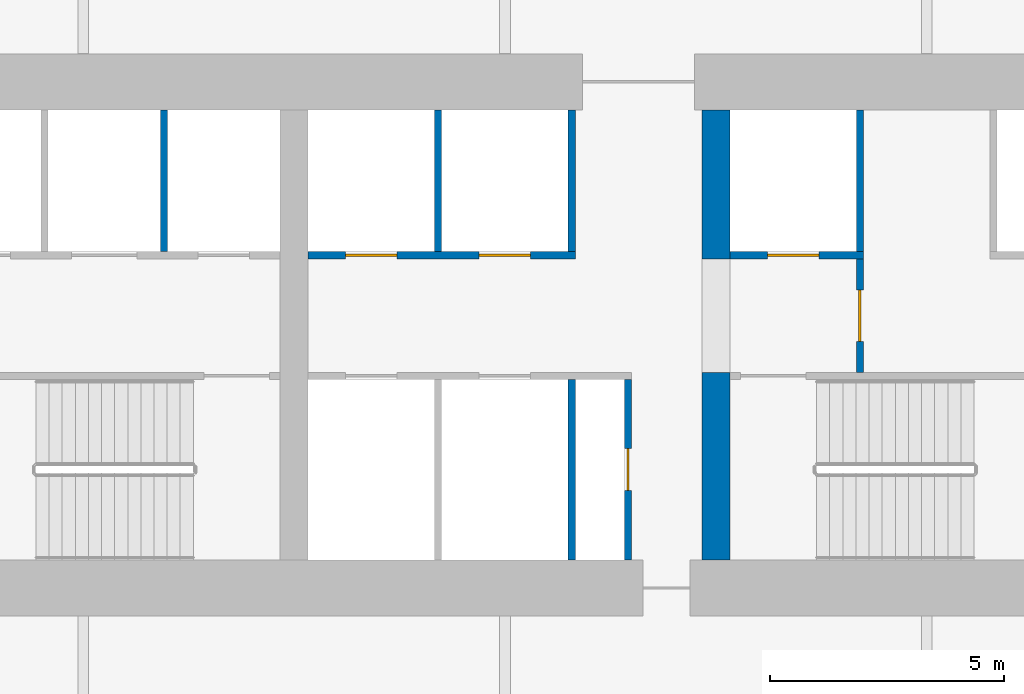
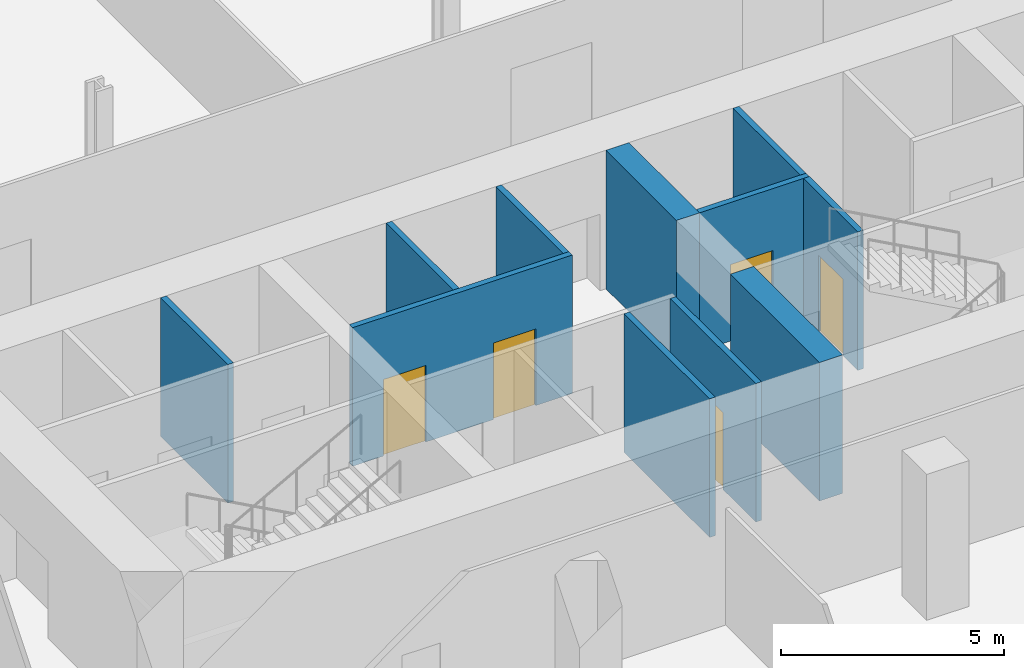
# One storey, part 4 of 14: 11 walls, 5 doors, 5 openings.
"""IFC4 building model written with IfcOpenShell, lengths in metres."""

from ifc_helpers import new_model, si_unit, direction, frame, frame_2d, origin, place, context, subcontext, project, spatial, rectangle, extrude, material, layer, layer_set, type_object, element, fill, save


model = new_model("IFC4")

# Units and contexts
model_context = context("Model", 3, precision=1e-05, world=origin(), true_north=direction((0.0, 1.0)))
body_context = subcontext(model_context, "Body", "Model", "MODEL_VIEW")
ifc_project = project(units=[si_unit("LENGTHUNIT", "METRE"), si_unit("AREAUNIT", "SQUARE_METRE"), si_unit("VOLUMEUNIT", "CUBIC_METRE"), si_unit("PLANEANGLEUNIT", "RADIAN"), si_unit("MASSUNIT", "GRAM", prefix="KILO")], contexts=[model_context])

# Site, building, storey
site_placement = place(None, origin())
site = spatial("IfcSite", under=ifc_project, at=site_placement, CompositionType="ELEMENT")
building_placement = place(site_placement, origin())
building = spatial("IfcBuilding", under=site, at=building_placement, Name="Zellij Exchange Tower", CompositionType="ELEMENT")
storey_placement = place(building_placement, frame((0.0, 0.0, 68.5)))
storey = spatial("IfcBuildingStorey", under=building, at=storey_placement, Name="L13", CompositionType="ELEMENT", Elevation=68.5)

# Walls
ifc_material_1 = material(Name="Concrete C70/85", Category="concrete")
ifc_layer_1 = layer(ifc_material_1, 0.60009765625)
ifc_layer_set_1 = layer_set([ifc_layer_1], Name="Concrete C70/85")
wall_type_1 = type_object("IfcWallType", Name="CORE-CW 600 C70/85", PredefinedType="SHEAR", material=ifc_layer_set_1)
wall_1_placement = place(storey_placement, frame((-9.0, -12.800048828125, 0.0), z_axis=(0.0, 0.0, 1.0), x_axis=(0.0, 1.0, 0.0)))
element("IfcWall", 1, at=wall_1_placement, inside=storey, type_object=wall_type_1, Name="Core cross wall pier x -9 a L13", PredefinedType="SHEAR", context=body_context, shape_type="SweptSolid", body=[
    extrude(rectangle(XDim=4.0, YDim=0.60009765625, at=frame_2d((2.0, 0.0))), origin(), (0.0, 0.0, 1.0), 3.800048828125),
])
wall_2_placement = place(storey_placement, frame((-9.0, -6.375, 0.0), z_axis=(0.0, 0.0, 1.0), x_axis=(0.0, 1.0, 0.0)))
element("IfcWall", 2, at=wall_2_placement, inside=storey, type_object=wall_type_1, Name="Core cross wall pier x -9 b L13", PredefinedType="SHEAR", context=body_context, shape_type="SweptSolid", body=[
    extrude(rectangle(XDim=3.175048828125, YDim=0.60009765625, at=frame_2d((1.58740234375, 0.0))), origin(), (0.0, 0.0, 1.0), 3.800048828125),
])

# Wall, opening, door
ifc_material_2 = material(Name="Gypsum shaft wall system")
ifc_layer_2 = layer(ifc_material_2, 0.14990234375)
ifc_layer_set_2 = layer_set([ifc_layer_2], Name="Gypsum shaft wall system")
wall_type_2 = type_object("IfcWallType", Name="CORE-PW 150 Firefighting lobby wall", PredefinedType="PARTITIONING", material=ifc_layer_set_2)
wall_3_placement = place(storey_placement, frame((-5.925048828125, -8.800048828125, 0.0), z_axis=(0.0, 0.0, 1.0), x_axis=(0.0, 1.0, 0.0)))
wall_3 = element("IfcWall", 3, at=wall_3_placement, inside=storey, type_object=wall_type_2, Name="Firefighting lobby wall L13", PredefinedType="PARTITIONING", context=body_context, shape_type="SweptSolid", body=[
    extrude(rectangle(XDim=2.425048828125, YDim=0.14990234375, at=frame_2d((1.21240234375, 0.0))), origin(), (0.0, 0.0, 1.0), 3.800048828125),
])
opening_1_placement = place(wall_3_placement, frame((0.662109375, 0.0, 0.0)))
opening_1 = element("IfcOpeningElement", 4, at=opening_1_placement, cuts=wall_3, Name="Opening CA-08.15", PredefinedType="OPENING", context=body_context, shape_type="SweptSolid", body=[
    extrude(rectangle(XDim=1.10009765625, YDim=2.10009765625, at=frame_2d((0.550048828125, 1.050048828125))), frame((0.0, 0.0869140625, 0.0), z_axis=(0.0, -1.0, 0.0), x_axis=(1.0, 0.0, 0.0)), (0.0, 0.0, 1.0), 0.173828125),
])
ifc_material_3 = material(Name="Hollow metal fire door")
door_type_1 = type_object("IfcDoorType", Name="CORE-D F Firefighting lobby door 1100x2100 1 HR", OperationType="NOTDEFINED", PredefinedType="DOOR", material=ifc_material_3)
door_1_placement = place(opening_1_placement, origin())
door_1 = element("IfcDoor", 5, at=door_1_placement, inside=storey, type_object=door_type_1, Name="Firefighting lobby door CA-08.15", OperationType="SINGLE_SWING_LEFT", OverallHeight=2.10009765625, OverallWidth=1.10009765625, PredefinedType="DOOR", context=body_context, shape_type="SweptSolid", body=[
    extrude(rectangle(XDim=1.10009765625, YDim=2.10009765625, at=frame_2d((0.550048828125, 1.050048828125))), frame((0.0, 0.02490234375, 0.0), z_axis=(0.0, -1.0, 0.0), x_axis=(1.0, 0.0, 0.0)), (0.0, 0.0, 1.0), 0.050048828125),
])
fill(opening_1, door_1)

ifc_material_4 = material(Name="Gypsum board partition")
ifc_layer_3 = layer(ifc_material_4, 0.14990234375)
ifc_layer_set_3 = layer_set([ifc_layer_3], Name="Gypsum board partition")
wall_type_3 = type_object("IfcWallType", Name="CORE-PW 150 Lift lobby wall", PredefinedType="PARTITIONING", material=ifc_layer_set_3)
wall_4_placement = place(storey_placement, frame((-10.875, -12.800048828125, 0.0), z_axis=(0.0, 0.0, 1.0), x_axis=(0.0, 1.0, 0.0)))
wall_4 = element("IfcWall", 6, at=wall_4_placement, inside=storey, type_object=wall_type_3, Name="Lift lobby wall L13", PredefinedType="PARTITIONING", context=body_context, shape_type="SweptSolid", body=[
    extrude(rectangle(XDim=3.85009765625, YDim=0.14990234375, at=frame_2d((1.925048828125, 0.0))), origin(), (0.0, 0.0, 1.0), 3.800048828125),
])
opening_2_placement = place(wall_4_placement, frame((1.47509765625, 0.0, 0.0)))
opening_2 = element("IfcOpeningElement", 7, at=opening_2_placement, cuts=wall_4, Name="Opening CA-08.10", PredefinedType="OPENING", context=body_context, shape_type="SweptSolid", body=[
    extrude(rectangle(XDim=0.89990234375, YDim=2.10009765625, at=frame_2d((0.449951171875, 1.050048828125))), frame((0.0, 0.0869140625, 0.0), z_axis=(0.0, -1.0, 0.0), x_axis=(1.0, 0.0, 0.0)), (0.0, 0.0, 1.0), 0.173828125),
])
door_type_2 = type_object("IfcDoorType", Name="CORE-D RD Riser door 900x2100 1.5 HR", OperationType="NOTDEFINED", PredefinedType="DOOR", material=ifc_material_3)
door_2_placement = place(opening_2_placement, origin())
door_2 = element("IfcDoor", 8, at=door_2_placement, inside=storey, type_object=door_type_2, Name="Riser door CA-08.10", OperationType="SINGLE_SWING_RIGHT", OverallHeight=2.10009765625, OverallWidth=0.89990234375, PredefinedType="DOOR", context=body_context, shape_type="SweptSolid", body=[
    extrude(rectangle(XDim=0.89990234375, YDim=2.10009765625, at=frame_2d((0.449951171875, 1.050048828125))), frame((0.0, 0.02490234375, 0.0), z_axis=(0.0, -1.0, 0.0), x_axis=(1.0, 0.0, 0.0)), (0.0, 0.0, 1.0), 0.050048828125),
])
fill(opening_2, door_2)

# Walls
ifc_layer_4 = layer(ifc_material_2, 0.14990234375)
ifc_layer_set_4 = layer_set([ifc_layer_4], Name="Gypsum shaft wall system")
wall_type_4 = type_object("IfcWallType", Name="CORE-PW 150 Lift shaft wall", PredefinedType="PARTITIONING", material=ifc_layer_set_4)
for number, where, z_axis, x_axis, name in (
    (9, (-20.77490234375, -6.22509765625, 0.0), (0.0, 0.0, 1.0), (0.0, 1.0, 0.0), "Lift shaft wall L13"),
    (10, (-12.074951171875, -6.22509765625, 0.0), (0.0, 0.0, 1.0), (0.0, 1.0, 0.0), "Lift shaft wall L13"),
    (11, (-14.925048828125, -6.22509765625, 0.0), (0.0, 0.0, 1.0), (0.0, 1.0, 0.0), "Lift shaft wall L13"),
    (12, (-5.925048828125, -6.22509765625, 0.0), (0.0, 0.0, 1.0), (0.0, 1.0, 0.0), "Lift shaft wall L13"),
):
    element("IfcWall", number, at=place(storey_placement, frame(where, z_axis=z_axis, x_axis=x_axis)), inside=storey, type_object=wall_type_4, Name=name, PredefinedType="PARTITIONING", context=body_context, shape_type="SweptSolid", body=[
        extrude(rectangle(XDim=3.025146484375, YDim=0.14990234375, at=frame_2d((1.5126953125, 0.0))), origin(), (0.0, 0.0, 1.0), 3.800048828125),
    ])
wall_5_placement = place(storey_placement, frame((-12.074951171875, -12.800048828125, 0.0), z_axis=(0.0, 0.0, 1.0), x_axis=(0.0, 1.0, 0.0)))
element("IfcWall", 13, at=wall_5_placement, inside=storey, type_object=wall_type_4, Name="Lift shaft wall L13", PredefinedType="PARTITIONING", context=body_context, shape_type="SweptSolid", body=[
    extrude(rectangle(XDim=3.85009765625, YDim=0.14990234375, at=frame_2d((1.925048828125, 0.0))), origin(), (0.0, 0.0, 1.0), 3.800048828125),
])

# Wall, openings, doors
wall_6_placement = place(storey_placement, frame((-17.699951171875, -6.300048828125, 0.0), z_axis=(0.0, 0.0, 1.0), x_axis=(1.0, 0.0, 0.0)))
wall_6 = element("IfcWall", 14, at=wall_6_placement, inside=storey, type_object=wall_type_4, Name="Lift shaft wall L13", PredefinedType="PARTITIONING", context=body_context, shape_type="SweptSolid", body=[
    extrude(rectangle(XDim=5.699951171875, YDim=0.14990234375, at=frame_2d((2.85009765625, 0.0))), origin(), (0.0, 0.0, 1.0), 3.800048828125),
])
opening_3_placement = place(wall_6_placement, frame((0.800048828125, 0.0, 0.0)))
opening_3 = element("IfcOpeningElement", 15, at=opening_3_placement, cuts=wall_6, Name="Opening CA-08.07", PredefinedType="OPENING", context=body_context, shape_type="SweptSolid", body=[
    extrude(rectangle(XDim=1.10009765625, YDim=2.10009765625, at=frame_2d((0.550048828125, 1.050048828125))), frame((0.0, 0.0869140625, 0.0), z_axis=(0.0, -1.0, 0.0), x_axis=(1.0, 0.0, 0.0)), (0.0, 0.0, 1.0), 0.173828125),
])
opening_4_placement = place(wall_6_placement, frame((3.64990234375, 0.0, 0.0)))
opening_4 = element("IfcOpeningElement", 16, at=opening_4_placement, cuts=wall_6, Name="Opening CA-08.09", PredefinedType="OPENING", context=body_context, shape_type="SweptSolid", body=[
    extrude(rectangle(XDim=1.10009765625, YDim=2.10009765625, at=frame_2d((0.550048828125, 1.050048828125))), frame((0.0, 0.0869140625, 0.0), z_axis=(0.0, -1.0, 0.0), x_axis=(1.0, 0.0, 0.0)), (0.0, 0.0, 1.0), 0.173828125),
])
door_type_3 = type_object("IfcDoorType", Name="CORE-D LD Lift landing door 1100x2100 1.5 HR", OperationType="NOTDEFINED", PredefinedType="DOOR", material=ifc_material_3)
door_3_placement = place(opening_3_placement, origin())
door_3 = element("IfcDoor", 17, at=door_3_placement, inside=storey, type_object=door_type_3, Name="Lift landing door CA-08.07", OperationType="SLIDING_TO_LEFT", OverallHeight=2.10009765625, OverallWidth=1.10009765625, PredefinedType="DOOR", context=body_context, shape_type="SweptSolid", body=[
    extrude(rectangle(XDim=1.10009765625, YDim=2.10009765625, at=frame_2d((0.550048828125, 1.050048828125))), frame((0.0, 0.02490234375, 0.0), z_axis=(0.0, -1.0, 0.0), x_axis=(1.0, 0.0, 0.0)), (0.0, 0.0, 1.0), 0.050048828125),
])
fill(opening_3, door_3)
door_4_placement = place(opening_4_placement, origin())
door_4 = element("IfcDoor", 18, at=door_4_placement, inside=storey, type_object=door_type_3, Name="Lift landing door CA-08.09", OperationType="SLIDING_TO_LEFT", OverallHeight=2.10009765625, OverallWidth=1.10009765625, PredefinedType="DOOR", context=body_context, shape_type="SweptSolid", body=[
    extrude(rectangle(XDim=1.10009765625, YDim=2.10009765625, at=frame_2d((0.550048828125, 1.050048828125))), frame((0.0, 0.02490234375, 0.0), z_axis=(0.0, -1.0, 0.0), x_axis=(1.0, 0.0, 0.0)), (0.0, 0.0, 1.0), 0.050048828125),
])
fill(opening_4, door_4)

# Wall, opening, door
wall_7_placement = place(storey_placement, frame((-8.699951171875, -6.300048828125, 0.0), z_axis=(0.0, 0.0, 1.0), x_axis=(1.0, 0.0, 0.0)))
wall_7 = element("IfcWall", 19, at=wall_7_placement, inside=storey, type_object=wall_type_4, Name="Lift shaft wall L13", PredefinedType="PARTITIONING", context=body_context, shape_type="SweptSolid", body=[
    extrude(rectangle(XDim=2.849853515625, YDim=0.14990234375, at=frame_2d((1.4248046875, 0.0))), origin(), (0.0, 0.0, 1.0), 3.800048828125),
])
opening_5_placement = place(wall_7_placement, frame((0.800048828125, 0.0, 0.0)))
opening_5 = element("IfcOpeningElement", 20, at=opening_5_placement, cuts=wall_7, Name="Opening CA-08.14", PredefinedType="OPENING", context=body_context, shape_type="SweptSolid", body=[
    extrude(rectangle(XDim=1.10009765625, YDim=2.10009765625, at=frame_2d((0.550048828125, 1.050048828125))), frame((0.0, 0.0869140625, 0.0), z_axis=(0.0, -1.0, 0.0), x_axis=(1.0, 0.0, 0.0)), (0.0, 0.0, 1.0), 0.173828125),
])
door_5_placement = place(opening_5_placement, origin())
door_5 = element("IfcDoor", 21, at=door_5_placement, inside=storey, type_object=door_type_3, Name="Lift landing door CA-08.14", OperationType="SLIDING_TO_RIGHT", OverallHeight=2.10009765625, OverallWidth=1.10009765625, PredefinedType="DOOR", context=body_context, shape_type="SweptSolid", body=[
    extrude(rectangle(XDim=1.10009765625, YDim=2.10009765625, at=frame_2d((0.550048828125, 1.050048828125))), frame((0.0, 0.02490234375, 0.0), z_axis=(0.0, -1.0, 0.0), x_axis=(1.0, 0.0, 0.0)), (0.0, 0.0, 1.0), 0.050048828125),
])
fill(opening_5, door_5)

save(model, "model.ifc")
